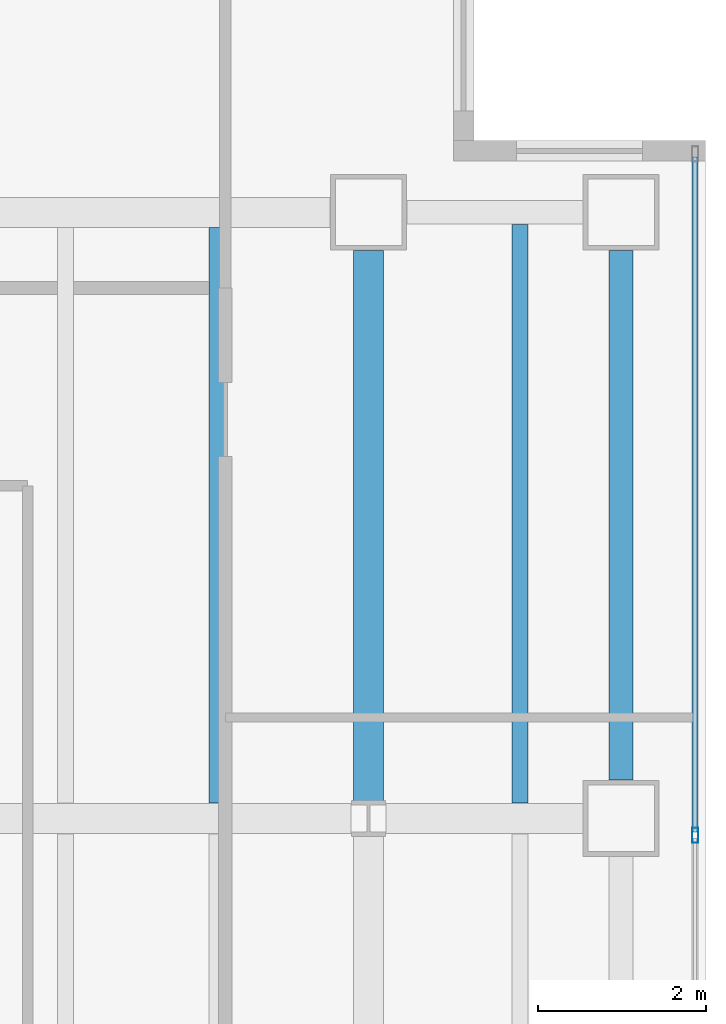
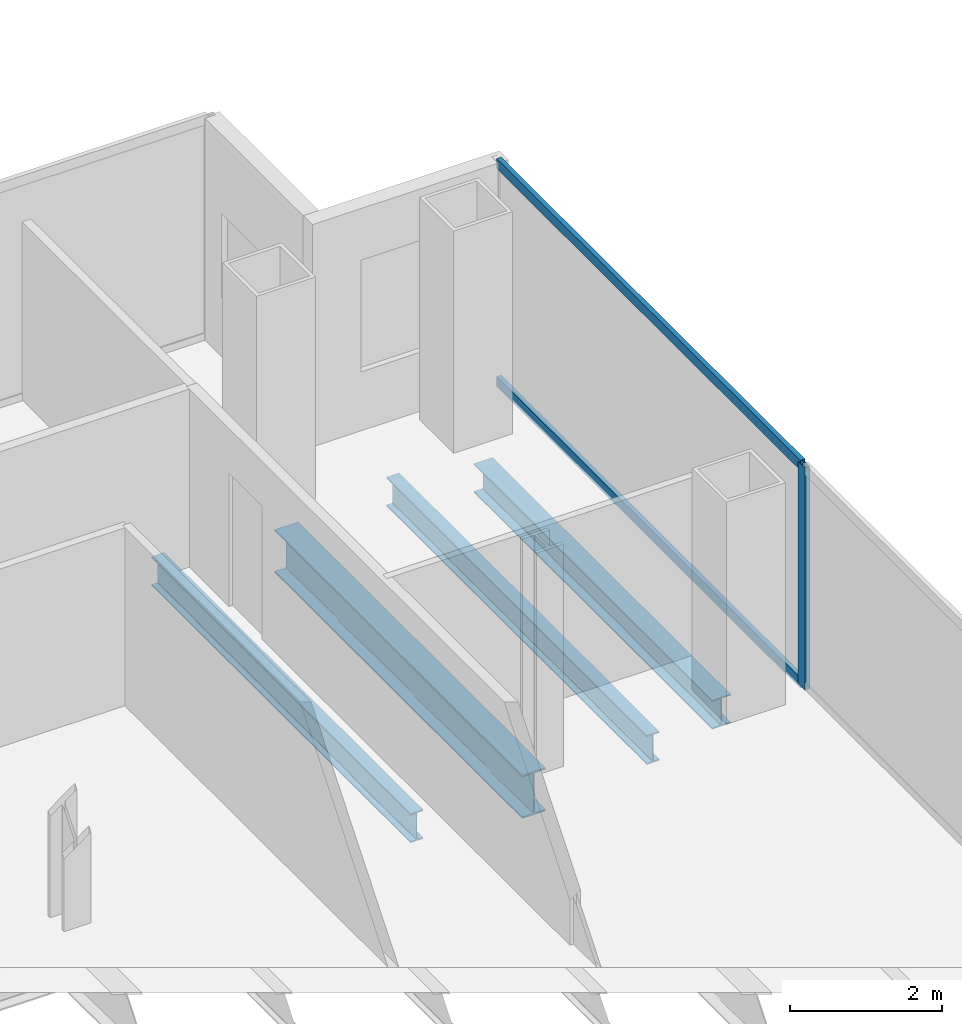
# One storey, part 13 of 24: 4 beams, 3 members, 1 element without a shape of its own.
"""IFC4 building model written with IfcOpenShell, lengths in metres."""

from ifc_helpers import new_model, si_unit, direction, frame, origin, origin_2d, place, context, subcontext, project, spatial, hollow_rectangle, i_section, extrude, material, material_profile, profile_set, type_object, element, aggregate, save


model = new_model("IFC4")

# Units and contexts
model_context = context("Model", 3, precision=1e-05, world=origin(), true_north=direction((0.0, 1.0)))
body_context = subcontext(model_context, "Body", "Model", "MODEL_VIEW")
ifc_project = project(units=[si_unit("LENGTHUNIT", "METRE"), si_unit("AREAUNIT", "SQUARE_METRE"), si_unit("VOLUMEUNIT", "CUBIC_METRE"), si_unit("PLANEANGLEUNIT", "RADIAN"), si_unit("MASSUNIT", "GRAM", prefix="KILO")], contexts=[model_context])

# Site, building, storey
site_placement = place(None, origin())
site = spatial("IfcSite", under=ifc_project, at=site_placement, CompositionType="ELEMENT")
building_placement = place(site_placement, origin())
building = spatial("IfcBuilding", under=site, at=building_placement, Name="Cobrela Telecom Tower", CompositionType="ELEMENT")
storey_placement = place(building_placement, frame((0.0, 0.0, 121.449951171875)))
storey = spatial("IfcBuildingStorey", under=building, at=storey_placement, Name="L30", CompositionType="ELEMENT", Elevation=121.449951171875)

# Beams
ifc_material_1 = material(Name="Steel ASTM A992 Grade 50", Category="steel")
ifc_material_profile_1 = material_profile(ifc_material_1, i_section(OverallWidth=0.35595703125, OverallDepth=0.696044921875, WebThickness=0.015380859375, FlangeThickness=0.024658203125, FilletRadius=0.01806640625, at=origin_2d()), Name="W27X146")
ifc_profile_set_1 = profile_set([ifc_material_profile_1], Name="Steel ASTM A992 Grade 50")
beam_type_1 = type_object("IfcBeamType", Name="BM-GIRD-05", PredefinedType="USERDEFINED", material=ifc_profile_set_1)
beam_1_placement = place(storey_placement, frame((43.199951171875, 14.609619140625, -0.617919921875), z_axis=(0.0, 1.0, 0.0), x_axis=(-1.0, 0.0, 0.0)))
element("IfcBeam", 1, at=beam_1_placement, inside=storey, type_object=beam_type_1, Name="L30 Primary Girder Y54", ObjectType="GIRDER", PredefinedType="USERDEFINED", context=body_context, shape_type="SweptSolid", body=[
    extrude(i_section(OverallWidth=0.35595703125, OverallDepth=0.696044921875, WebThickness=0.015380859375, FlangeThickness=0.024658203125, FilletRadius=0.01806640625, at=origin_2d()), origin(), (0.0, 0.0, 1.0), 6.535400390625),
])
ifc_material_profile_2 = material_profile(ifc_material_1, i_section(OverallWidth=0.193115234375, OverallDepth=0.467041015625, WebThickness=0.011474609375, FlangeThickness=0.01904296875, FilletRadius=0.012939453125, at=origin_2d()), Name="W18X65")
ifc_profile_set_2 = profile_set([ifc_material_profile_2], Name="Steel ASTM A992 Grade 50")
beam_type_2 = type_object("IfcBeamType", Name="BM-JOIST-03", PredefinedType="JOIST", material=ifc_profile_set_2)
beam_2_placement = place(storey_placement, frame((41.39990234375, 14.5830078125, -0.50341796875), z_axis=(0.0, 1.0, 0.0), x_axis=(-1.0, 0.0, 0.0)))
element("IfcBeam", 2, at=beam_2_placement, inside=storey, type_object=beam_type_2, Name="L30 Secondary Composite Floor Beam J38", PredefinedType="JOIST", context=body_context, shape_type="SweptSolid", body=[
    extrude(i_section(OverallWidth=0.193115234375, OverallDepth=0.467041015625, WebThickness=0.011474609375, FlangeThickness=0.01904296875, FilletRadius=0.012939453125, at=origin_2d()), origin(), (0.0, 0.0, 1.0), 6.833984375),
])
beam_3_placement = place(storey_placement, frame((45.0, 14.5830078125, -0.50341796875), z_axis=(0.0, 1.0, 0.0), x_axis=(-1.0, 0.0, 0.0)))
element("IfcBeam", 3, at=beam_3_placement, inside=storey, type_object=beam_type_2, Name="L30 Secondary Composite Floor Beam J40", PredefinedType="JOIST", context=body_context, shape_type="SweptSolid", body=[
    extrude(i_section(OverallWidth=0.193115234375, OverallDepth=0.467041015625, WebThickness=0.011474609375, FlangeThickness=0.01904296875, FilletRadius=0.012939453125, at=origin_2d()), origin(), (0.0, 0.0, 1.0), 6.87109375),
])
ifc_material_profile_3 = material_profile(ifc_material_1, i_section(OverallWidth=0.281982421875, OverallDepth=0.467041015625, WebThickness=0.01220703125, FlangeThickness=0.01953125, FilletRadius=0.012939453125, at=origin_2d()), Name="W18X86")
ifc_profile_set_3 = profile_set([ifc_material_profile_3], Name="Steel ASTM A992 Grade 50")
beam_type_3 = type_object("IfcBeamType", Name="BM-SPAND-04", PredefinedType="SPANDREL", material=ifc_profile_set_3)
beam_4_placement = place(storey_placement, frame((46.199951171875, 14.85498046875, -0.50341796875), z_axis=(0.0, 1.0, 0.0), x_axis=(-1.0, 0.0, 0.0)))
element("IfcBeam", 4, at=beam_4_placement, inside=storey, type_object=beam_type_3, Name="L30 Perimeter Spandrel Y56", PredefinedType="SPANDREL", context=body_context, shape_type="SweptSolid", body=[
    extrude(i_section(OverallWidth=0.281982421875, OverallDepth=0.467041015625, WebThickness=0.01220703125, FlangeThickness=0.01953125, FilletRadius=0.012939453125, at=origin_2d()), origin(), (0.0, 0.0, 1.0), 6.2900390625),
])

# Curtain wall, members
ifc_material_2 = material(Name="Anodized Bronze Aluminium 6063-T6", Category="aluminium")
curtain_wall_type = type_object("IfcCurtainWallType", Name="CW-SYS-TEL", PredefinedType="USERDEFINED", material=ifc_material_2)
curtain_wall_placement = place(storey_placement, origin())
curtain_wall = element("IfcCurtainWall", 5, at=curtain_wall_placement, inside=storey, type_object=curtain_wall_type, Name="L30 Unitised Bronze Curtain Wall 14", ObjectType="UNITISED CURTAIN WALL", PredefinedType="USERDEFINED")
ifc_material_profile_4 = material_profile(ifc_material_2, hollow_rectangle(XDim=0.074951171875, YDim=0.179931640625, WallThickness=0.00390625, at=origin_2d()), Name="ALU 75x180x4")
ifc_profile_set_4 = profile_set([ifc_material_profile_4], Name="Anodized Bronze Aluminium 6063-T6")
member_type_1 = type_object("IfcMemberType", Name="CW-SYS-TEL-MUL", PredefinedType="MULLION", material=ifc_profile_set_4)
member_1_placement = place(storey_placement, frame((47.080078125, 14.199951171875, 0.0), z_axis=(0.0, 0.0, 1.0), x_axis=(1.0, 0.0, 0.0)))
member_1 = element("IfcMember", 6, at=member_1_placement, type_object=member_type_1, Name="CW-TEL mullion 2", PredefinedType="MULLION", context=body_context, shape_type="SweptSolid", body=[
    extrude(hollow_rectangle(XDim=0.074951171875, YDim=0.179931640625, WallThickness=0.00390625, at=origin_2d()), origin(), (0.0, 0.0, 1.0), 3.580078125),
])
ifc_material_profile_5 = material_profile(ifc_material_2, hollow_rectangle(XDim=0.070068359375, YDim=0.159912109375, WallThickness=0.00390625, at=origin_2d()), Name="ALU 70x160x4")
ifc_profile_set_5 = profile_set([ifc_material_profile_5], Name="Anodized Bronze Aluminium 6063-T6")
member_type_2 = type_object("IfcMemberType", Name="CW-SYS-TEL-TRN", PredefinedType="USERDEFINED", material=ifc_profile_set_5)
member_2_placement = place(storey_placement, frame((47.080078125, 22.2548828125, 0.03515625), z_axis=(0.0, -1.0, 0.0), x_axis=(1.0, 0.0, 0.0)))
member_2 = element("IfcMember", 7, at=member_2_placement, type_object=member_type_2, Name="CW-TEL transom 1.1", ObjectType="TRANSOM", PredefinedType="USERDEFINED", context=body_context, shape_type="SweptSolid", body=[
    extrude(hollow_rectangle(XDim=0.070068359375, YDim=0.159912109375, WallThickness=0.00390625, at=origin_2d()), origin(), (0.0, 0.0, 1.0), 8.017333984375),
])
member_3_placement = place(storey_placement, frame((47.080078125, 22.2548828125, 3.545166015625), z_axis=(0.0, -1.0, 0.0), x_axis=(1.0, 0.0, 0.0)))
member_3 = element("IfcMember", 8, at=member_3_placement, type_object=member_type_2, Name="CW-TEL transom 1.2", ObjectType="TRANSOM", PredefinedType="USERDEFINED", context=body_context, shape_type="SweptSolid", body=[
    extrude(hollow_rectangle(XDim=0.070068359375, YDim=0.159912109375, WallThickness=0.00390625, at=origin_2d()), origin(), (0.0, 0.0, 1.0), 8.017333984375),
])
aggregate(curtain_wall, [member_1, member_2, member_3])

save(model, "model.ifc")
